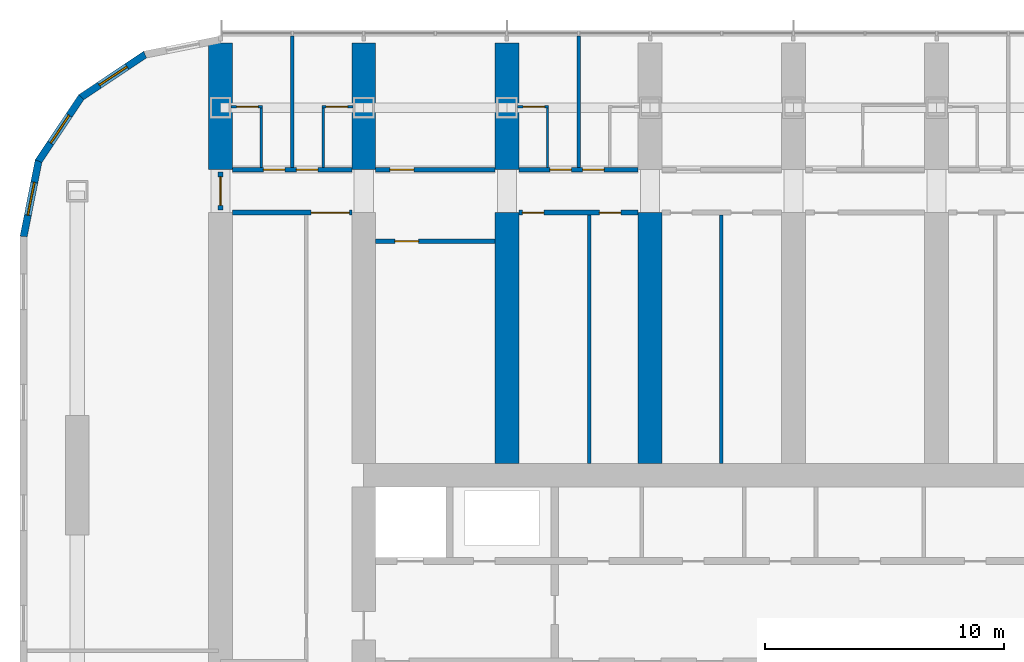
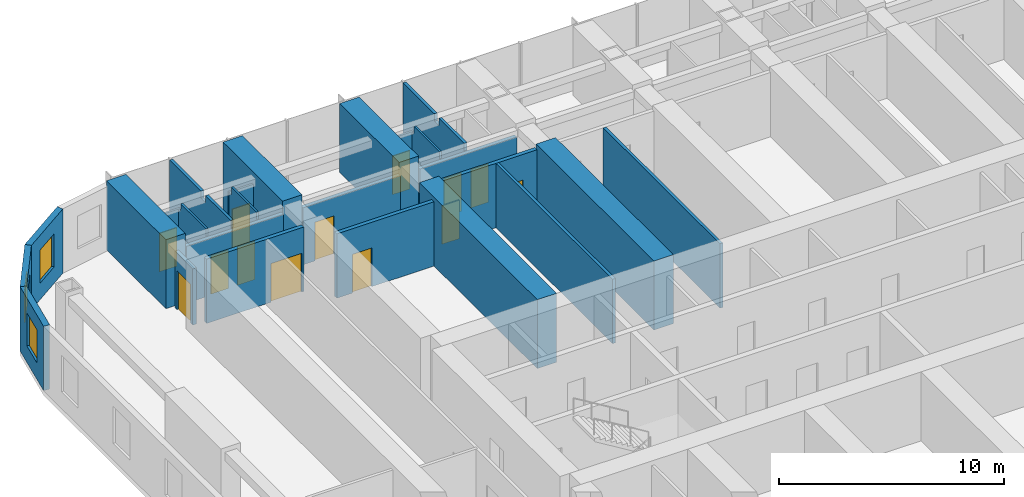
# One storey, part 14 of 23: 25 walls, 13 doors, 3 windows, 16 openings.
"""IFC4 building model written with IfcOpenShell, lengths in metres."""

from ifc_helpers import new_model, si_unit, direction, frame, frame_2d, origin, place, context, subcontext, project, spatial, polyline, rectangle, outline, extrude, material, layer, layer_set, type_object, element, fill, save


model = new_model("IFC4")

# Units and contexts
model_context = context("Model", 3, precision=1e-05, world=origin(), true_north=direction((0.0, 1.0)))
body_context = subcontext(model_context, "Body", "Model", "MODEL_VIEW")
ifc_project = project(units=[si_unit("LENGTHUNIT", "METRE"), si_unit("AREAUNIT", "SQUARE_METRE"), si_unit("VOLUMEUNIT", "CUBIC_METRE"), si_unit("PLANEANGLEUNIT", "RADIAN"), si_unit("MASSUNIT", "GRAM", prefix="KILO")], contexts=[model_context])

# Site, building, storey
site_placement = place(None, origin())
site = spatial("IfcSite", under=ifc_project, at=site_placement, CompositionType="ELEMENT")
building_placement = place(site_placement, origin())
building = spatial("IfcBuilding", under=site, at=building_placement, Name="Orbita Commons", CompositionType="ELEMENT")
storey_placement = place(building_placement, frame((0.0, 0.0, 61.449951171875)))
storey = spatial("IfcBuildingStorey", under=building, at=storey_placement, Name="L15", CompositionType="ELEMENT", Elevation=61.449951171875)

# Wall, openings, doors
ifc_material_1 = material(Name="Concrete blockwork", Category="masonry")
ifc_layer_1 = layer(ifc_material_1, 0.199951171875)
ifc_layer_set_1 = layer_set([ifc_layer_1], Name="Concrete blockwork")
wall_type_1 = type_object("IfcWallType", Name="Corridor wall 200 blockwork", PredefinedType="SOLIDWALL", material=ifc_layer_set_1)
wall_1_placement = place(storey_placement, frame((12.5, 51.0, 0.0), z_axis=(0.0, 0.0, 1.0), x_axis=(1.0, 0.0, 0.0)))
wall_1 = element("IfcWall", 1, at=wall_1_placement, inside=storey, type_object=wall_type_1, Name="Corridor wall 200 blockwork L15", PredefinedType="SOLIDWALL", context=body_context, shape_type="SweptSolid", body=[
    extrude(outline(polyline([(0.0, 0.0), (5.0, 0.0), (5.0, 3.10009765625), (0.0, 3.10009765625), (0.0, 0.0)])), frame((0.0, 0.10009765625, 0.0), z_axis=(0.0, -1.0, 0.0), x_axis=(1.0, 0.0, 0.0)), (0.0, 0.0, 1.0), 0.199951171875),
])
opening_1_placement = place(wall_1_placement, frame((1.300048828125, 0.0, 0.0)))
opening_1 = element("IfcOpeningElement", 2, at=opening_1_placement, cuts=wall_1, Name="Opening D11", PredefinedType="OPENING", context=body_context, shape_type="SweptSolid", body=[
    extrude(rectangle(XDim=0.89990234375, YDim=2.10009765625, at=frame_2d((0.449951171875, 1.050048828125))), frame((0.0, 0.10986328125, 0.0), z_axis=(0.0, -1.0, 0.0), x_axis=(1.0, 0.0, 0.0)), (0.0, 0.0, 1.0), 0.219970703125),
])
opening_2_placement = place(wall_1_placement, frame((2.675048828125, 0.0, 0.0)))
opening_2 = element("IfcOpeningElement", 3, at=opening_2_placement, cuts=wall_1, Name="Opening D11", PredefinedType="OPENING", context=body_context, shape_type="SweptSolid", body=[
    extrude(rectangle(XDim=0.89990234375, YDim=2.10009765625, at=frame_2d((0.449951171875, 1.050048828125))), frame((0.0, 0.10986328125, 0.0), z_axis=(0.0, -1.0, 0.0), x_axis=(1.0, 0.0, 0.0)), (0.0, 0.0, 1.0), 0.219970703125),
])
ifc_material_2 = material(Name="Steel-faced fire door leaf", Category="steel")
door_type_1 = type_object("IfcDoorType", Name="Corridor door 20 min 900x2100", OperationType="SINGLE_SWING_LEFT", PredefinedType="DOOR", material=ifc_material_2)
door_1_placement = place(opening_1_placement, origin())
door_1 = element("IfcDoor", 4, at=door_1_placement, inside=storey, type_object=door_type_1, Name="House bedroom L15-N00 door", OperationType="SINGLE_SWING_LEFT", OverallHeight=2.10009765625, OverallWidth=0.89990234375, PredefinedType="DOOR", context=body_context, shape_type="SweptSolid", body=[
    extrude(rectangle(XDim=0.89990234375, YDim=2.10009765625, at=frame_2d((0.449951171875, 1.050048828125))), frame((0.0, 0.02490234375, 0.0), z_axis=(0.0, -1.0, 0.0), x_axis=(1.0, 0.0, 0.0)), (0.0, 0.0, 1.0), 0.050048828125),
])
fill(opening_1, door_1)
door_2_placement = place(opening_2_placement, origin())
door_2 = element("IfcDoor", 5, at=door_2_placement, inside=storey, type_object=door_type_1, Name="House bedroom L15-N01 door", OperationType="SINGLE_SWING_LEFT", OverallHeight=2.10009765625, OverallWidth=0.89990234375, PredefinedType="DOOR", context=body_context, shape_type="SweptSolid", body=[
    extrude(rectangle(XDim=0.89990234375, YDim=2.10009765625, at=frame_2d((0.449951171875, 1.050048828125))), frame((0.0, 0.02490234375, 0.0), z_axis=(0.0, -1.0, 0.0), x_axis=(1.0, 0.0, 0.0)), (0.0, 0.0, 1.0), 0.050048828125),
])
fill(opening_2, door_2)

# Wall, opening, door
wall_2_placement = place(storey_placement, frame((18.5, 51.0, 0.0), z_axis=(0.0, 0.0, 1.0), x_axis=(1.0, 0.0, 0.0)))
wall_2 = element("IfcWall", 6, at=wall_2_placement, inside=storey, type_object=wall_type_1, Name="Corridor wall 200 blockwork L15", PredefinedType="SOLIDWALL", context=body_context, shape_type="SweptSolid", body=[
    extrude(outline(polyline([(0.0, 0.0), (5.0, 0.0), (5.0, 3.10009765625), (0.0, 3.10009765625), (0.0, 0.0)])), frame((0.0, 0.10009765625, 0.0), z_axis=(0.0, -1.0, 0.0), x_axis=(1.0, 0.0, 0.0)), (0.0, 0.0, 1.0), 0.199951171875),
])
opening_3_placement = place(wall_2_placement, frame((0.60009765625, 0.0, 0.0)))
opening_3 = element("IfcOpeningElement", 7, at=opening_3_placement, cuts=wall_2, Name="Opening D06", PredefinedType="OPENING", context=body_context, shape_type="SweptSolid", body=[
    extrude(rectangle(XDim=1.0, YDim=2.10009765625, at=frame_2d((0.5, 1.050048828125))), frame((0.0, 0.10986328125, 0.0), z_axis=(0.0, -1.0, 0.0), x_axis=(1.0, 0.0, 0.0)), (0.0, 0.0, 1.0), 0.219970703125),
])
ifc_material_3 = material(Name="Steel-faced fire door leaf", Category="steel")
door_type_2 = type_object("IfcDoorType", Name="Corridor door 20 min 1000x2100", OperationType="SINGLE_SWING_LEFT", PredefinedType="DOOR", material=ifc_material_3)
door_3_placement = place(opening_3_placement, origin())
door_3 = element("IfcDoor", 8, at=door_3_placement, inside=storey, type_object=door_type_2, Name="House common room L15-N02 door", OperationType="SINGLE_SWING_LEFT", OverallHeight=2.10009765625, OverallWidth=1.0, PredefinedType="DOOR", context=body_context, shape_type="SweptSolid", body=[
    extrude(rectangle(XDim=1.0, YDim=2.10009765625, at=frame_2d((0.5, 1.050048828125))), frame((0.0, 0.02490234375, 0.0), z_axis=(0.0, -1.0, 0.0), x_axis=(1.0, 0.0, 0.0)), (0.0, 0.0, 1.0), 0.050048828125),
])
fill(opening_3, door_3)

# Wall, openings, doors
wall_3_placement = place(storey_placement, frame((24.5, 51.0, 0.0), z_axis=(0.0, 0.0, 1.0), x_axis=(1.0, 0.0, 0.0)))
wall_3 = element("IfcWall", 9, at=wall_3_placement, inside=storey, type_object=wall_type_1, Name="Corridor wall 200 blockwork L15", PredefinedType="SOLIDWALL", context=body_context, shape_type="SweptSolid", body=[
    extrude(outline(polyline([(0.0, 0.0), (5.0, 0.0), (5.0, 3.10009765625), (0.0, 3.10009765625), (0.0, 0.0)])), frame((0.0, 0.10009765625, 0.0), z_axis=(0.0, -1.0, 0.0), x_axis=(1.0, 0.0, 0.0)), (0.0, 0.0, 1.0), 0.199951171875),
])
opening_4_placement = place(wall_3_placement, frame((1.300048828125, 0.0, 0.0)))
opening_4 = element("IfcOpeningElement", 10, at=opening_4_placement, cuts=wall_3, Name="Opening D11", PredefinedType="OPENING", context=body_context, shape_type="SweptSolid", body=[
    extrude(rectangle(XDim=0.89990234375, YDim=2.10009765625, at=frame_2d((0.449951171875, 1.050048828125))), frame((0.0, 0.10986328125, 0.0), z_axis=(0.0, -1.0, 0.0), x_axis=(1.0, 0.0, 0.0)), (0.0, 0.0, 1.0), 0.219970703125),
])
opening_5_placement = place(wall_3_placement, frame((2.675048828125, 0.0, 0.0)))
opening_5 = element("IfcOpeningElement", 11, at=opening_5_placement, cuts=wall_3, Name="Opening D11", PredefinedType="OPENING", context=body_context, shape_type="SweptSolid", body=[
    extrude(rectangle(XDim=0.89990234375, YDim=2.10009765625, at=frame_2d((0.449951171875, 1.050048828125))), frame((0.0, 0.10986328125, 0.0), z_axis=(0.0, -1.0, 0.0), x_axis=(1.0, 0.0, 0.0)), (0.0, 0.0, 1.0), 0.219970703125),
])
door_4_placement = place(opening_4_placement, origin())
door_4 = element("IfcDoor", 12, at=door_4_placement, inside=storey, type_object=door_type_1, Name="House bedroom L15-N04 door", OperationType="SINGLE_SWING_LEFT", OverallHeight=2.10009765625, OverallWidth=0.89990234375, PredefinedType="DOOR", context=body_context, shape_type="SweptSolid", body=[
    extrude(rectangle(XDim=0.89990234375, YDim=2.10009765625, at=frame_2d((0.449951171875, 1.050048828125))), frame((0.0, 0.02490234375, 0.0), z_axis=(0.0, -1.0, 0.0), x_axis=(1.0, 0.0, 0.0)), (0.0, 0.0, 1.0), 0.050048828125),
])
fill(opening_4, door_4)
door_5_placement = place(opening_5_placement, origin())
door_5 = element("IfcDoor", 13, at=door_5_placement, inside=storey, type_object=door_type_1, Name="House bedroom L15-N05 door", OperationType="SINGLE_SWING_LEFT", OverallHeight=2.10009765625, OverallWidth=0.89990234375, PredefinedType="DOOR", context=body_context, shape_type="SweptSolid", body=[
    extrude(rectangle(XDim=0.89990234375, YDim=2.10009765625, at=frame_2d((0.449951171875, 1.050048828125))), frame((0.0, 0.02490234375, 0.0), z_axis=(0.0, -1.0, 0.0), x_axis=(1.0, 0.0, 0.0)), (0.0, 0.0, 1.0), 0.050048828125),
])
fill(opening_5, door_5)

# Wall, opening, door
wall_4_placement = place(storey_placement, frame((12.0, 49.300048828125, 0.0), z_axis=(0.0, 0.0, 1.0), x_axis=(0.0, 1.0, 0.0)))
wall_4 = element("IfcWall", 14, at=wall_4_placement, inside=storey, type_object=wall_type_1, Name="Corridor wall 200 blockwork L15", PredefinedType="SOLIDWALL", context=body_context, shape_type="SweptSolid", body=[
    extrude(outline(polyline([(0.0, 0.0), (1.599853515625, 0.0), (1.60009765625, 3.050048828125), (0.0, 3.050048828125), (0.0, 0.0)])), frame((0.0, 0.10009765625, 0.0), z_axis=(0.0, -1.0, 0.0), x_axis=(1.0, 0.0, 0.0)), (0.0, 0.0, 1.0), 0.199951171875),
])
opening_6_placement = place(wall_4_placement, frame((0.199951171875, 0.0, 0.0)))
opening_6 = element("IfcOpeningElement", 15, at=opening_6_placement, cuts=wall_4, Name="Opening D12", PredefinedType="OPENING", context=body_context, shape_type="SweptSolid", body=[
    extrude(rectangle(XDim=1.199951171875, YDim=2.10009765625, at=frame_2d((0.60009765625, 1.050048828125))), frame((0.0, 0.10986328125, 0.0), z_axis=(0.0, -1.0, 0.0), x_axis=(1.0, 0.0, 0.0)), (0.0, 0.0, 1.0), 0.219970703125),
])
ifc_material_4 = material(Name="Steel-faced fire door leaf", Category="steel")
door_type_3 = type_object("IfcDoorType", Name="Double corridor door 20 min 1200x2100", OperationType="DOUBLE_DOOR_SINGLE_SWING", PredefinedType="DOOR", material=ifc_material_4)
door_6_placement = place(opening_6_placement, origin())
door_6 = element("IfcDoor", 16, at=door_6_placement, inside=storey, type_object=door_type_3, Name="Lounge doors", OperationType="DOUBLE_DOOR_SINGLE_SWING", OverallHeight=2.10009765625, OverallWidth=1.199951171875, PredefinedType="DOOR", context=body_context, shape_type="SweptSolid", body=[
    extrude(rectangle(XDim=1.199951171875, YDim=2.10009765625, at=frame_2d((0.60009765625, 1.050048828125))), frame((0.0, 0.02490234375, 0.0), z_axis=(0.0, -1.0, 0.0), x_axis=(1.0, 0.0, 0.0)), (0.0, 0.0, 1.0), 0.050048828125),
])
fill(opening_6, door_6)

ifc_material_5 = material(Name="Hollow concrete block 200", Category="concrete")
ifc_layer_2 = layer(ifc_material_5, 0.199951171875)
ifc_layer_set_2 = layer_set([ifc_layer_2], Name="Hollow concrete block 200")
wall_type_2 = type_object("IfcWallType", Name="Corridor wall 200 hollow concrete block", PredefinedType="SOLIDWALL", material=ifc_layer_set_2)
wall_5_placement = place(storey_placement, frame((12.5, 49.199951171875, 0.0), z_axis=(0.0, 0.0, 1.0), x_axis=(1.0, 0.0, 0.0)))
wall_5 = element("IfcWall", 17, at=wall_5_placement, inside=storey, type_object=wall_type_2, Name="Corridor wall 200 hollow concrete block L15", PredefinedType="SOLIDWALL", context=body_context, shape_type="SweptSolid", body=[
    extrude(rectangle(XDim=5.0, YDim=0.199951171875, at=frame_2d((2.5, 0.0))), origin(), (0.0, 0.0, 1.0), 3.5),
])
opening_7_placement = place(wall_5_placement, frame((3.300048828125, 0.0, 0.0)))
opening_7 = element("IfcOpeningElement", 18, at=opening_7_placement, cuts=wall_5, Name="Opening D10", PredefinedType="OPENING", context=body_context, shape_type="SweptSolid", body=[
    extrude(rectangle(XDim=1.60009765625, YDim=2.10009765625, at=frame_2d((0.800048828125, 1.050048828125))), frame((0.0, 0.10986328125, 0.0), z_axis=(0.0, -1.0, 0.0), x_axis=(1.0, 0.0, 0.0)), (0.0, 0.0, 1.0), 0.219970703125),
])
ifc_material_6 = material(Name="Steel-faced fire door leaf", Category="steel")
door_type_4 = type_object("IfcDoorType", Name="Double corridor door 20 min 1600x2100", OperationType="DOUBLE_DOOR_SINGLE_SWING", PredefinedType="DOOR", material=ifc_material_6)
door_7_placement = place(opening_7_placement, origin())
door_7 = element("IfcDoor", 19, at=door_7_placement, inside=storey, type_object=door_type_4, Name="Cross corridor doors", OperationType="DOUBLE_DOOR_SINGLE_SWING", OverallHeight=2.10009765625, OverallWidth=1.60009765625, PredefinedType="DOOR", context=body_context, shape_type="SweptSolid", body=[
    extrude(rectangle(XDim=1.60009765625, YDim=2.10009765625, at=frame_2d((0.800048828125, 1.050048828125))), frame((0.0, 0.02490234375, 0.0), z_axis=(0.0, -1.0, 0.0), x_axis=(1.0, 0.0, 0.0)), (0.0, 0.0, 1.0), 0.050048828125),
])
fill(opening_7, door_7)

# Wall, openings, doors
wall_6_placement = place(storey_placement, frame((24.5, 49.199951171875, 0.0), z_axis=(0.0, 0.0, 1.0), x_axis=(1.0, 0.0, 0.0)))
wall_6 = element("IfcWall", 20, at=wall_6_placement, inside=storey, type_object=wall_type_2, Name="Corridor wall 200 hollow concrete block L15", PredefinedType="SOLIDWALL", context=body_context, shape_type="SweptSolid", body=[
    extrude(rectangle(XDim=5.0, YDim=0.199951171875, at=frame_2d((2.5, 0.0))), origin(), (0.0, 0.0, 1.0), 3.5),
])
opening_8_placement = place(wall_6_placement, frame((0.14990234375, 0.0, 0.0)))
opening_8 = element("IfcOpeningElement", 21, at=opening_8_placement, cuts=wall_6, Name="Opening D11", PredefinedType="OPENING", context=body_context, shape_type="SweptSolid", body=[
    extrude(rectangle(XDim=0.89990234375, YDim=2.10009765625, at=frame_2d((0.449951171875, 1.050048828125))), frame((0.0, 0.10986328125, 0.0), z_axis=(0.0, -1.0, 0.0), x_axis=(1.0, 0.0, 0.0)), (0.0, 0.0, 1.0), 0.219970703125),
])
opening_9_placement = place(wall_6_placement, frame((3.375, 0.0, 0.0)))
opening_9 = element("IfcOpeningElement", 22, at=opening_9_placement, cuts=wall_6, Name="Opening D11", PredefinedType="OPENING", context=body_context, shape_type="SweptSolid", body=[
    extrude(rectangle(XDim=0.89990234375, YDim=2.10009765625, at=frame_2d((0.449951171875, 1.050048828125))), frame((0.0, 0.10986328125, 0.0), z_axis=(0.0, -1.0, 0.0), x_axis=(1.0, 0.0, 0.0)), (0.0, 0.0, 1.0), 0.219970703125),
])
door_8_placement = place(opening_8_placement, origin())
door_8 = element("IfcDoor", 23, at=door_8_placement, inside=storey, type_object=door_type_1, Name="Ventilation plant room north L15-BDN24 door", OperationType="SINGLE_SWING_LEFT", OverallHeight=2.10009765625, OverallWidth=0.89990234375, PredefinedType="DOOR", context=body_context, shape_type="SweptSolid", body=[
    extrude(rectangle(XDim=0.89990234375, YDim=2.10009765625, at=frame_2d((0.449951171875, 1.050048828125))), frame((0.0, 0.02490234375, 0.0), z_axis=(0.0, -1.0, 0.0), x_axis=(1.0, 0.0, 0.0)), (0.0, 0.0, 1.0), 0.050048828125),
])
fill(opening_8, door_8)
door_9_placement = place(opening_9_placement, origin())
door_9 = element("IfcDoor", 24, at=door_9_placement, inside=storey, type_object=door_type_1, Name="Battery and UPS room L15-BDN24n door", OperationType="SINGLE_SWING_LEFT", OverallHeight=2.10009765625, OverallWidth=0.89990234375, PredefinedType="DOOR", context=body_context, shape_type="SweptSolid", body=[
    extrude(rectangle(XDim=0.89990234375, YDim=2.10009765625, at=frame_2d((0.449951171875, 1.050048828125))), frame((0.0, 0.02490234375, 0.0), z_axis=(0.0, -1.0, 0.0), x_axis=(1.0, 0.0, 0.0)), (0.0, 0.0, 1.0), 0.050048828125),
])
fill(opening_9, door_9)

# Wall, opening, door
wall_7_placement = place(storey_placement, frame((18.5, 48.0, 0.0), z_axis=(0.0, 0.0, 1.0), x_axis=(1.0, 0.0, 0.0)))
wall_7 = element("IfcWall", 25, at=wall_7_placement, inside=storey, type_object=wall_type_2, Name="Corridor wall 200 hollow concrete block L15", PredefinedType="SOLIDWALL", context=body_context, shape_type="SweptSolid", body=[
    extrude(rectangle(XDim=5.0, YDim=0.199951171875, at=frame_2d((2.5, 0.0))), origin(), (0.0, 0.0, 1.0), 3.5),
])
opening_10_placement = place(wall_7_placement, frame((0.800048828125, 0.0, 0.0)))
opening_10 = element("IfcOpeningElement", 26, at=opening_10_placement, cuts=wall_7, Name="Opening D06", PredefinedType="OPENING", context=body_context, shape_type="SweptSolid", body=[
    extrude(rectangle(XDim=1.0, YDim=2.10009765625, at=frame_2d((0.5, 1.050048828125))), frame((0.0, 0.10986328125, 0.0), z_axis=(0.0, -1.0, 0.0), x_axis=(1.0, 0.0, 0.0)), (0.0, 0.0, 1.0), 0.219970703125),
])
door_10_placement = place(opening_10_placement, origin())
door_10 = element("IfcDoor", 27, at=door_10_placement, inside=storey, type_object=door_type_2, Name="Drying room L15-BDN18 door", OperationType="SINGLE_SWING_LEFT", OverallHeight=2.10009765625, OverallWidth=1.0, PredefinedType="DOOR", context=body_context, shape_type="SweptSolid", body=[
    extrude(rectangle(XDim=1.0, YDim=2.10009765625, at=frame_2d((0.5, 1.050048828125))), frame((0.0, 0.02490234375, 0.0), z_axis=(0.0, -1.0, 0.0), x_axis=(1.0, 0.0, 0.0)), (0.0, 0.0, 1.0), 0.050048828125),
])
fill(opening_10, door_10)

# Walls
ifc_material_7 = material(Name="Concrete C50/60", Category="concrete")
ifc_layer_3 = layer(ifc_material_7, 1.0)
ifc_layer_set_3 = layer_set([ifc_layer_3], Name="Concrete C50/60")
wall_type_3 = type_object("IfcWallType", Name="Cross wall 1000 C50/60", PredefinedType="SHEAR", material=ifc_layer_set_3)
for number, where, z_axis, x_axis, name in (
    (28, (12.0, 51.0, 0.0), (0.0, 0.0, 1.0), (0.0, 1.0, 0.0), "Cross wall 3 north outer L15"),
    (29, (18.0, 51.0, 0.0), (0.0, 0.0, 1.0), (0.0, 1.0, 0.0), "Cross wall 4 north outer L15"),
    (30, (24.0, 51.0, 0.0), (0.0, 0.0, 1.0), (0.0, 1.0, 0.0), "Cross wall 5 north outer L15"),
):
    element("IfcWall", number, at=place(storey_placement, frame(where, z_axis=z_axis, x_axis=x_axis)), inside=storey, type_object=wall_type_3, Name=name, PredefinedType="SHEAR", context=body_context, shape_type="SweptSolid", body=[
        extrude(rectangle(XDim=5.300048828125, YDim=1.0, at=frame_2d((2.64990234375, 0.0))), origin(), (0.0, 0.0, 1.0), 3.75),
    ])
for number, where, z_axis, x_axis, name in (
    (31, (24.0, 38.699951171875, 0.0), (0.0, 0.0, 1.0), (0.0, 1.0, 0.0), "Cross wall 5 north inner L15"),
    (32, (30.0, 38.699951171875, 0.0), (0.0, 0.0, 1.0), (0.0, 1.0, 0.0), "Cross wall 6 north inner L15"),
):
    element("IfcWall", number, at=place(storey_placement, frame(where, z_axis=z_axis, x_axis=x_axis)), inside=storey, type_object=wall_type_3, Name=name, PredefinedType="SHEAR", context=body_context, shape_type="SweptSolid", body=[
        extrude(rectangle(XDim=10.5, YDim=1.0, at=frame_2d((5.25, 0.0))), origin(), (0.0, 0.0, 1.0), 3.75),
    ])

# Wall, opening, door
ifc_material_8 = material(Name="Moisture-resistant plasterboard on steel studs", Category="steel")
ifc_layer_4 = layer(ifc_material_8, 0.10009765625)
ifc_layer_set_4 = layer_set([ifc_layer_4], Name="Moisture-resistant plasterboard on steel studs")
wall_type_4 = type_object("IfcWallType", Name="En-suite partition 100", PredefinedType="PARTITIONING", material=ifc_layer_set_4)
wall_8_placement = place(storey_placement, frame((12.449951171875, 53.6416015625, 0.0), z_axis=(0.0, 0.0, 1.0), x_axis=(1.0, 0.0, 0.0)))
wall_8 = element("IfcWall", 33, at=wall_8_placement, inside=storey, type_object=wall_type_4, Name="En-suite partition 100 L15", PredefinedType="PARTITIONING", context=body_context, shape_type="SweptSolid", body=[
    extrude(outline(polyline([(0.0, 0.0), (1.300048828125, 0.0), (1.300048828125, 3.10009765625), (0.0, 3.10009765625), (0.0, 0.0)])), frame((0.0, 0.050048828125, 0.0), z_axis=(0.0, -1.0, 0.0), x_axis=(1.0, 0.0, 0.0)), (0.0, 0.0, 1.0), 0.10009765625),
])
opening_11_placement = place(wall_8_placement, frame((0.22509765625, 0.0, 0.0)))
opening_11 = element("IfcOpeningElement", 34, at=opening_11_placement, cuts=wall_8, Name="Opening D09", PredefinedType="OPENING", context=body_context, shape_type="SweptSolid", body=[
    extrude(rectangle(XDim=0.89990234375, YDim=2.10009765625, at=frame_2d((0.449951171875, 1.050048828125))), frame((0.0, 0.06005859375, 0.0), z_axis=(0.0, -1.0, 0.0), x_axis=(1.0, 0.0, 0.0)), (0.0, 0.0, 1.0), 0.1201171875),
])
ifc_material_9 = material(Name="Laminated timber door leaf", Category="wood")
door_type_5 = type_object("IfcDoorType", Name="En-suite door 900x2100", OperationType="SINGLE_SWING_RIGHT", PredefinedType="DOOR", material=ifc_material_9)
door_11_placement = place(opening_11_placement, origin())
door_11 = element("IfcDoor", 35, at=door_11_placement, inside=storey, type_object=door_type_5, Name="En-suite L15-N00 door", OperationType="SINGLE_SWING_RIGHT", OverallHeight=2.10009765625, OverallWidth=0.89990234375, PredefinedType="DOOR", context=body_context, shape_type="SweptSolid", body=[
    extrude(rectangle(XDim=0.89990234375, YDim=2.10009765625, at=frame_2d((0.449951171875, 1.050048828125))), frame((0.0, 0.02490234375, 0.0), z_axis=(0.0, -1.0, 0.0), x_axis=(1.0, 0.0, 0.0)), (0.0, 0.0, 1.0), 0.050048828125),
])
fill(opening_11, door_11)

# Wall
wall_9_placement = place(storey_placement, frame((13.699951171875, 53.591796875, 0.0), z_axis=(0.0, 0.0, 1.0), x_axis=(0.0, -1.0, 0.0)))
element("IfcWall", 36, at=wall_9_placement, inside=storey, type_object=wall_type_4, Name="En-suite partition 100 L15", PredefinedType="PARTITIONING", context=body_context, shape_type="SweptSolid", body=[
    extrude(outline(polyline([(0.0, 0.0), (2.49169921875, 0.0), (2.49169921875, 3.10009765625), (2.443603515625, 3.10009765625), (2.441650390625, 3.5), (0.193603515625, 3.5), (0.191650390625, 3.10009765625), (0.0, 3.10009765625), (0.0, 0.0)])), frame((0.0, 0.050048828125, 0.0), z_axis=(0.0, -1.0, 0.0), x_axis=(1.0, 0.0, 0.0)), (0.0, 0.0, 1.0), 0.10009765625),
])

# Wall, opening, door
wall_10_placement = place(storey_placement, frame((16.25, 53.6416015625, 0.0), z_axis=(0.0, 0.0, 1.0), x_axis=(1.0, 0.0, 0.0)))
wall_10 = element("IfcWall", 37, at=wall_10_placement, inside=storey, type_object=wall_type_4, Name="En-suite partition 100 L15", PredefinedType="PARTITIONING", context=body_context, shape_type="SweptSolid", body=[
    extrude(outline(polyline([(0.0, 0.0), (1.300048828125, 0.0), (1.300048828125, 3.10009765625), (0.0, 3.10009765625), (0.0, 0.0)])), frame((0.0, 0.050048828125, 0.0), z_axis=(0.0, -1.0, 0.0), x_axis=(1.0, 0.0, 0.0)), (0.0, 0.0, 1.0), 0.10009765625),
])
opening_12_placement = place(wall_10_placement, frame((0.175048828125, 0.0, 0.0)))
opening_12 = element("IfcOpeningElement", 38, at=opening_12_placement, cuts=wall_10, Name="Opening D09", PredefinedType="OPENING", context=body_context, shape_type="SweptSolid", body=[
    extrude(rectangle(XDim=0.89990234375, YDim=2.10009765625, at=frame_2d((0.449951171875, 1.050048828125))), frame((0.0, 0.06005859375, 0.0), z_axis=(0.0, -1.0, 0.0), x_axis=(1.0, 0.0, 0.0)), (0.0, 0.0, 1.0), 0.1201171875),
])
door_12_placement = place(opening_12_placement, origin())
door_12 = element("IfcDoor", 39, at=door_12_placement, inside=storey, type_object=door_type_5, Name="En-suite L15-N01 door", OperationType="SINGLE_SWING_RIGHT", OverallHeight=2.10009765625, OverallWidth=0.89990234375, PredefinedType="DOOR", context=body_context, shape_type="SweptSolid", body=[
    extrude(rectangle(XDim=0.89990234375, YDim=2.10009765625, at=frame_2d((0.449951171875, 1.050048828125))), frame((0.0, 0.02490234375, 0.0), z_axis=(0.0, -1.0, 0.0), x_axis=(1.0, 0.0, 0.0)), (0.0, 0.0, 1.0), 0.050048828125),
])
fill(opening_12, door_12)

# Wall
wall_11_placement = place(storey_placement, frame((16.300048828125, 53.591796875, 0.0), z_axis=(0.0, 0.0, 1.0), x_axis=(0.0, -1.0, 0.0)))
element("IfcWall", 40, at=wall_11_placement, inside=storey, type_object=wall_type_4, Name="En-suite partition 100 L15", PredefinedType="PARTITIONING", context=body_context, shape_type="SweptSolid", body=[
    extrude(outline(polyline([(0.0, 0.0), (2.49169921875, 0.0), (2.49169921875, 3.10009765625), (2.443603515625, 3.10009765625), (2.441650390625, 3.5), (0.193603515625, 3.5), (0.191650390625, 3.10009765625), (0.0, 3.10009765625), (0.0, 0.0)])), frame((0.0, 0.050048828125, 0.0), z_axis=(0.0, -1.0, 0.0), x_axis=(1.0, 0.0, 0.0)), (0.0, 0.0, 1.0), 0.10009765625),
])

# Wall, opening, door
wall_12_placement = place(storey_placement, frame((24.449951171875, 53.6416015625, 0.0), z_axis=(0.0, 0.0, 1.0), x_axis=(1.0, 0.0, 0.0)))
wall_12 = element("IfcWall", 41, at=wall_12_placement, inside=storey, type_object=wall_type_4, Name="En-suite partition 100 L15", PredefinedType="PARTITIONING", context=body_context, shape_type="SweptSolid", body=[
    extrude(outline(polyline([(0.0, 0.0), (1.300048828125, 0.0), (1.300048828125, 3.10009765625), (0.0, 3.10009765625), (0.0, 0.0)])), frame((0.0, 0.050048828125, 0.0), z_axis=(0.0, -1.0, 0.0), x_axis=(1.0, 0.0, 0.0)), (0.0, 0.0, 1.0), 0.10009765625),
])
opening_13_placement = place(wall_12_placement, frame((0.22509765625, 0.0, 0.0)))
opening_13 = element("IfcOpeningElement", 42, at=opening_13_placement, cuts=wall_12, Name="Opening D09", PredefinedType="OPENING", context=body_context, shape_type="SweptSolid", body=[
    extrude(rectangle(XDim=0.89990234375, YDim=2.10009765625, at=frame_2d((0.449951171875, 1.050048828125))), frame((0.0, 0.06005859375, 0.0), z_axis=(0.0, -1.0, 0.0), x_axis=(1.0, 0.0, 0.0)), (0.0, 0.0, 1.0), 0.1201171875),
])
door_13_placement = place(opening_13_placement, origin())
door_13 = element("IfcDoor", 43, at=door_13_placement, inside=storey, type_object=door_type_5, Name="En-suite L15-N04 door", OperationType="SINGLE_SWING_RIGHT", OverallHeight=2.10009765625, OverallWidth=0.89990234375, PredefinedType="DOOR", context=body_context, shape_type="SweptSolid", body=[
    extrude(rectangle(XDim=0.89990234375, YDim=2.10009765625, at=frame_2d((0.449951171875, 1.050048828125))), frame((0.0, 0.02490234375, 0.0), z_axis=(0.0, -1.0, 0.0), x_axis=(1.0, 0.0, 0.0)), (0.0, 0.0, 1.0), 0.050048828125),
])
fill(opening_13, door_13)

# Walls
wall_13_placement = place(storey_placement, frame((25.699951171875, 53.591796875, 0.0), z_axis=(0.0, 0.0, 1.0), x_axis=(0.0, -1.0, 0.0)))
element("IfcWall", 44, at=wall_13_placement, inside=storey, type_object=wall_type_4, Name="En-suite partition 100 L15", PredefinedType="PARTITIONING", context=body_context, shape_type="SweptSolid", body=[
    extrude(outline(polyline([(0.0, 0.0), (2.49169921875, 0.0), (2.49169921875, 3.10009765625), (2.443603515625, 3.10009765625), (2.441650390625, 3.5), (0.193603515625, 3.5), (0.191650390625, 3.10009765625), (0.0, 3.10009765625), (0.0, 0.0)])), frame((0.0, 0.050048828125, 0.0), z_axis=(0.0, -1.0, 0.0), x_axis=(1.0, 0.0, 0.0)), (0.0, 0.0, 1.0), 0.10009765625),
])
ifc_material_10 = material(Name="Gypsum plasterboard on steel studs", Category="steel")
ifc_layer_5 = layer(ifc_material_10, 0.14990234375)
ifc_layer_set_5 = layer_set([ifc_layer_5], Name="Gypsum plasterboard on steel studs")
wall_type_5 = type_object("IfcWallType", Name="Partition 150 plasterboard", PredefinedType="PARTITIONING", material=ifc_layer_set_5)
for number, where, z_axis, x_axis, name in (
    (45, (27.449951171875, 38.699951171875, 0.0), (0.0, 0.0, 1.0), (0.0, 1.0, 0.0), "Partition 150 plasterboard L15"),
    (46, (32.969970703125, 38.699951171875, 0.0), (0.0, 0.0, 1.0), (0.0, 1.0, 0.0), "Partition 150 plasterboard L15"),
):
    element("IfcWall", number, at=place(storey_placement, frame(where, z_axis=z_axis, x_axis=x_axis)), inside=storey, type_object=wall_type_5, Name=name, PredefinedType="PARTITIONING", context=body_context, shape_type="SweptSolid", body=[
        extrude(rectangle(XDim=10.400146484375, YDim=0.14990234375, at=frame_2d((5.2001953125, 0.0))), origin(), (0.0, 0.0, 1.0), 3.5),
    ])
ifc_material_11 = material(Name="Gypsum plasterboard on steel studs", Category="steel")
ifc_layer_6 = layer(ifc_material_11, 0.14990234375)
ifc_layer_set_6 = layer_set([ifc_layer_6], Name="Gypsum plasterboard on steel studs")
wall_type_6 = type_object("IfcWallType", Name="Party wall 150 plasterboard", PredefinedType="PARTITIONING", material=ifc_layer_set_6)
for number, where, z_axis, x_axis, name in (
    (47, (15.0, 56.590087890625, 0.0), (0.0, 0.0, 1.0), (0.0, -1.0, 0.0), "Party wall 150 plasterboard L15"),
    (48, (27.0, 56.590087890625, 0.0), (0.0, 0.0, 1.0), (0.0, -1.0, 0.0), "Party wall 150 plasterboard L15"),
):
    element("IfcWall", number, at=place(storey_placement, frame(where, z_axis=z_axis, x_axis=x_axis)), inside=storey, type_object=wall_type_6, Name=name, PredefinedType="PARTITIONING", context=body_context, shape_type="SweptSolid", body=[
        extrude(outline(polyline([(0.0, 0.0), (5.489990234375, 0.0), (5.489990234375, 3.10009765625), (5.44189453125, 3.10009765625), (5.43994140625, 3.5), (3.19189453125, 3.5), (3.18994140625, 3.10009765625), (2.7919921875, 3.10009765625), (2.7900390625, 3.5), (0.0, 3.5), (0.0, 0.0)])), frame((0.0, 0.074951171875, 0.0), z_axis=(0.0, -1.0, 0.0), x_axis=(1.0, 0.0, 0.0)), (0.0, 0.0, 1.0), 0.14990234375),
    ])

# Wall, opening, window
ifc_material_12 = material(Name="Precast concrete C40/50, white board-marked finish", Category="concrete")
ifc_layer_7 = layer(ifc_material_12, 0.300048828125)
ifc_layer_set_7 = layer_set([ifc_layer_7], Name="Precast concrete C40/50, white board-marked finish")
wall_type_7 = type_object("IfcWallType", Name="Precast concrete end shield 300", PredefinedType="SOLIDWALL", material=ifc_layer_set_7)
wall_14_placement = place(storey_placement, frame((8.843017578125, 55.822021484375, 0.0), z_axis=(0.0, 0.0, 1.0), x_axis=(-0.831478105043, -0.555557522525, 0.0)))
wall_14 = element("IfcWall", 49, at=wall_14_placement, inside=storey, type_object=wall_type_7, Name="End shield NW chord 2 L15", PredefinedType="SOLIDWALL", context=body_context, shape_type="SweptSolid", body=[
    extrude(outline(polyline([(-0.02978515625, -0.14990234375), (3.248779296875, -0.14990234375), (3.189208984375, 0.14990234375), (0.02978515625, 0.14990234375), (-0.02978515625, -0.14990234375)])), origin(), (0.0, 0.0, 1.0), 3.5),
])
opening_14_placement = place(wall_14_placement, frame((0.909423828125, 0.0, 0.89990234375)))
opening_14 = element("IfcOpeningElement", 50, at=opening_14_placement, cuts=wall_14, Name="Opening W02", PredefinedType="OPENING", context=body_context, shape_type="SweptSolid", body=[
    extrude(rectangle(XDim=1.39990234375, YDim=1.800048828125, at=frame_2d((0.699951171875, 0.89990234375))), frame((0.0, 0.159912109375, 0.0), z_axis=(0.0, -1.0, 0.0), x_axis=(1.0, 0.0, 0.0)), (0.0, 0.0, 1.0), 0.320068359375),
])
ifc_material_13 = material(Name="Aluminium frame, clear double glazing", Category="aluminium")
window_type = type_object("IfcWindowType", Name="Deep-set window 1400x1800", PartitioningType="SINGLE_PANEL", PredefinedType="WINDOW", material=ifc_material_13)
window_1_placement = place(opening_14_placement, origin())
window_1 = element("IfcWindow", 51, at=window_1_placement, inside=storey, type_object=window_type, Name="Window L15-NW1", OverallHeight=1.800048828125, OverallWidth=1.39990234375, PartitioningType="SINGLE_PANEL", PredefinedType="WINDOW", context=body_context, shape_type="SweptSolid", body=[
    extrude(rectangle(XDim=1.39990234375, YDim=1.800048828125, at=frame_2d((0.699951171875, 0.89990234375))), frame((0.0, 0.030029296875, 0.0), z_axis=(0.0, -1.0, 0.0), x_axis=(1.0, 0.0, 0.0)), (0.0, 0.0, 1.0), 0.06005859375),
])
fill(opening_14, window_1)

wall_15_placement = place(storey_placement, frame((6.16650390625, 54.03369140625, 0.0), z_axis=(0.0, 0.0, 1.0), x_axis=(-0.555609954424, -0.831443069936, 0.0)))
wall_15 = element("IfcWall", 52, at=wall_15_placement, inside=storey, type_object=wall_type_7, Name="End shield NW chord 3 L15", PredefinedType="SOLIDWALL", context=body_context, shape_type="SweptSolid", body=[
    extrude(outline(polyline([(-0.02978515625, -0.14990234375), (3.2490234375, -0.14990234375), (3.189453125, 0.14990234375), (0.02978515625, 0.14990234375), (-0.02978515625, -0.14990234375)])), origin(), (0.0, 0.0, 1.0), 3.5),
])
opening_15_placement = place(wall_15_placement, frame((0.909423828125, 0.0, 0.89990234375)))
opening_15 = element("IfcOpeningElement", 53, at=opening_15_placement, cuts=wall_15, Name="Opening W02", PredefinedType="OPENING", context=body_context, shape_type="SweptSolid", body=[
    extrude(rectangle(XDim=1.39990234375, YDim=1.800048828125, at=frame_2d((0.699951171875, 0.89990234375))), frame((0.0, 0.159912109375, 0.0), z_axis=(0.0, -1.0, 0.0), x_axis=(1.0, 0.0, 0.0)), (0.0, 0.0, 1.0), 0.320068359375),
])
window_2_placement = place(opening_15_placement, origin())
window_2 = element("IfcWindow", 54, at=window_2_placement, inside=storey, type_object=window_type, Name="Window L15-NW2", OverallHeight=1.800048828125, OverallWidth=1.39990234375, PartitioningType="SINGLE_PANEL", PredefinedType="WINDOW", context=body_context, shape_type="SweptSolid", body=[
    extrude(rectangle(XDim=1.39990234375, YDim=1.800048828125, at=frame_2d((0.699951171875, 0.89990234375))), frame((0.0, 0.030029296875, 0.0), z_axis=(0.0, -1.0, 0.0), x_axis=(1.0, 0.0, 0.0)), (0.0, 0.0, 1.0), 0.06005859375),
])
fill(opening_15, window_2)

wall_16_placement = place(storey_placement, frame((4.3779296875, 51.357177734375, 0.0), z_axis=(0.0, 0.0, 1.0), x_axis=(-0.195065901187, -0.980790137692, 0.0)))
wall_16 = element("IfcWall", 55, at=wall_16_placement, inside=storey, type_object=wall_type_7, Name="End shield NW chord 4 L15", PredefinedType="SOLIDWALL", context=body_context, shape_type="SweptSolid", body=[
    extrude(outline(polyline([(-0.02978515625, -0.14990234375), (3.23388671875, -0.14990234375), (3.2041015625, 0.14990234375), (0.02978515625, 0.14990234375), (-0.02978515625, -0.14990234375)])), origin(), (0.0, 0.0, 1.0), 3.5),
])
opening_16_placement = place(wall_16_placement, frame((0.909423828125, 0.0, 0.89990234375)))
opening_16 = element("IfcOpeningElement", 56, at=opening_16_placement, cuts=wall_16, Name="Opening W02", PredefinedType="OPENING", context=body_context, shape_type="SweptSolid", body=[
    extrude(rectangle(XDim=1.39990234375, YDim=1.800048828125, at=frame_2d((0.699951171875, 0.89990234375))), frame((0.0, 0.159912109375, 0.0), z_axis=(0.0, -1.0, 0.0), x_axis=(1.0, 0.0, 0.0)), (0.0, 0.0, 1.0), 0.320068359375),
])
window_3_placement = place(opening_16_placement, origin())
window_3 = element("IfcWindow", 57, at=window_3_placement, inside=storey, type_object=window_type, Name="Window L15-NW3", OverallHeight=1.800048828125, OverallWidth=1.39990234375, PartitioningType="SINGLE_PANEL", PredefinedType="WINDOW", context=body_context, shape_type="SweptSolid", body=[
    extrude(rectangle(XDim=1.39990234375, YDim=1.800048828125, at=frame_2d((0.699951171875, 0.89990234375))), frame((0.0, 0.030029296875, 0.0), z_axis=(0.0, -1.0, 0.0), x_axis=(1.0, 0.0, 0.0)), (0.0, 0.0, 1.0), 0.06005859375),
])
fill(opening_16, window_3)

save(model, "model.ifc")
